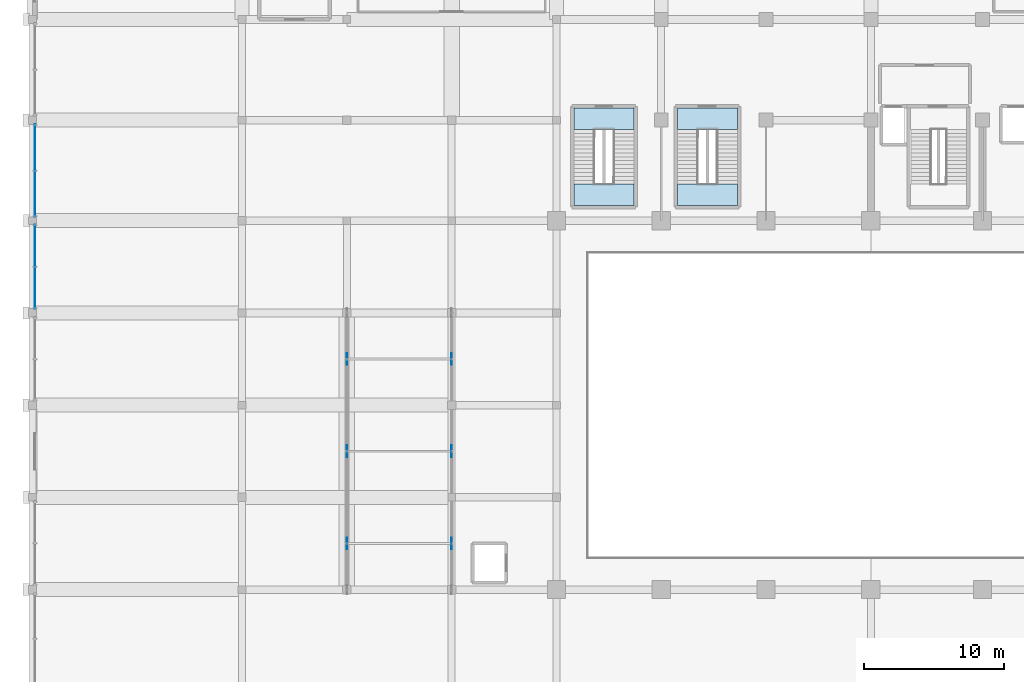
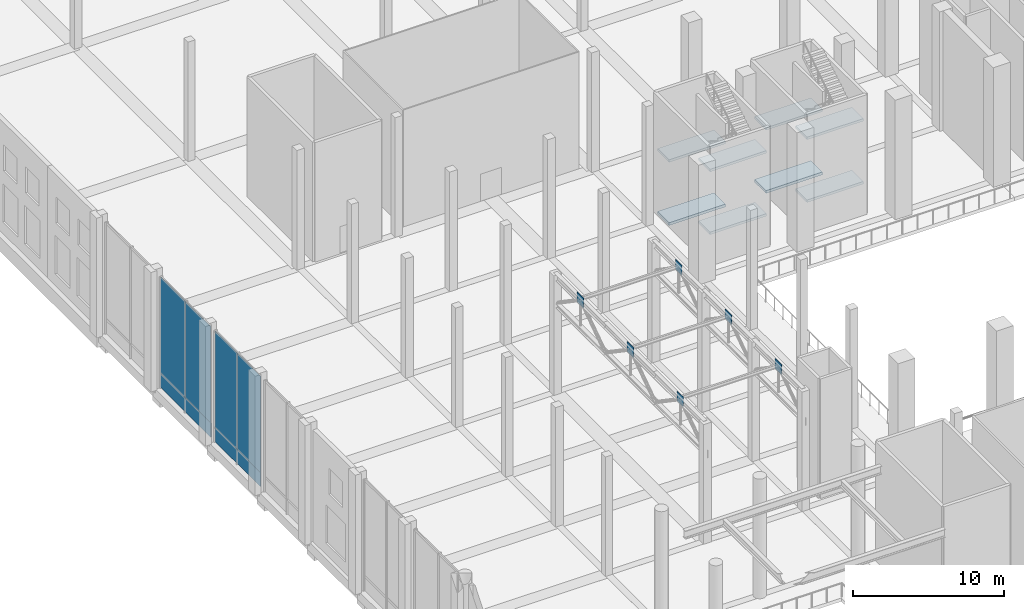
# One storey, part 53 of 80: 12 plates, 8 slabs, 4 elements without a shape of their own.
"""IFC4 building model written with IfcOpenShell, lengths in metres."""

from ifc_helpers import new_model, si_unit, direction, frame, origin, origin_2d, place, context, subcontext, project, spatial, polyline, rectangle, outline, extrude, material, layer, layer_set, type_object, element, aggregate, save


model = new_model("IFC4")

# Units and contexts
model_context = context("Model", 3, precision=1e-05, world=origin(), true_north=direction((0.0, 1.0)))
body_context = subcontext(model_context, "Body", "Model", "MODEL_VIEW")
ifc_project = project(units=[si_unit("LENGTHUNIT", "METRE"), si_unit("AREAUNIT", "SQUARE_METRE"), si_unit("VOLUMEUNIT", "CUBIC_METRE"), si_unit("PLANEANGLEUNIT", "RADIAN"), si_unit("MASSUNIT", "GRAM", prefix="KILO")], contexts=[model_context])

# Site, building, storey
site_placement = place(None, origin())
site = spatial("IfcSite", under=ifc_project, at=site_placement, CompositionType="ELEMENT")
building_placement = place(site_placement, origin())
building = spatial("IfcBuilding", under=site, at=building_placement, Name="Akrevak Sports Hall", CompositionType="ELEMENT")
storey_placement = place(building_placement, frame((0.0, 0.0, 14.0)))
storey = spatial("IfcBuildingStorey", under=building, at=storey_placement, Name="L03", CompositionType="ELEMENT", Elevation=14.0)

# Curtain wall, plates
ifc_material_1 = material(Name="Anodized Bronze Aluminium & Low-E Glass", Category="aluminium")
curtain_wall_type = type_object("IfcCurtainWallType", Name="ARC-CW-POD-64x94", PredefinedType="NOTDEFINED", material=ifc_material_1)
curtain_wall_1_placement = place(storey_placement, origin())
curtain_wall_1 = element("IfcCurtainWall", 1, at=curtain_wall_1_placement, inside=storey, type_object=curtain_wall_type, Name="Curtain Wall CW-L03-W06", PredefinedType="NOTDEFINED")
ifc_material_2 = material(Name="Double Low-E Tempered Glass", Category="glass")
ifc_layer_1 = layer(ifc_material_2, 0.035888671875, Name="Double Low-E Tempered Glass")
ifc_layer_set_1 = layer_set([ifc_layer_1], Name="Double Low-E Tempered Glass")
plate_type_1 = type_object("IfcPlateType", Name="ARC-CWP-GLZ-36", PredefinedType="CURTAIN_PANEL", material=ifc_layer_set_1)
plate_1_placement = place(storey_placement, frame((0.169921875, 53.418701171875, 1.14990234375), z_axis=(0.0, 0.0, 1.0), x_axis=(0.0, -1.0, 0.0)))
plate_1 = element("IfcPlate", 2, at=plate_1_placement, type_object=plate_type_1, Name="Vision Glass Panel CW-L03-W06-G1", PredefinedType="CURTAIN_PANEL", context=body_context, shape_type="SweptSolid", body=[
    extrude(rectangle(XDim=3.012451171875, YDim=0.035888671875, at=origin_2d()), origin(), (0.0, 0.0, 1.0), 7.77001953125),
])
plate_2_placement = place(storey_placement, frame((0.169921875, 50.40625, 1.14990234375), z_axis=(0.0, 0.0, 1.0), x_axis=(0.0, -1.0, 0.0)))
plate_2 = element("IfcPlate", 3, at=plate_2_placement, type_object=plate_type_1, Name="Vision Glass Panel CW-L03-W06-G2", PredefinedType="CURTAIN_PANEL", context=body_context, shape_type="SweptSolid", body=[
    extrude(rectangle(XDim=3.012451171875, YDim=0.035888671875, at=origin_2d()), origin(), (0.0, 0.0, 1.0), 7.77001953125),
])

curtain_wall_2_placement = place(storey_placement, origin())
curtain_wall_2 = element("IfcCurtainWall", 4, at=curtain_wall_2_placement, inside=storey, type_object=curtain_wall_type, Name="Curtain Wall CW-L03-W07", PredefinedType="NOTDEFINED")
plate_3_placement = place(storey_placement, frame((0.169921875, 60.44384765625, 1.14990234375), z_axis=(0.0, 0.0, 1.0), x_axis=(0.0, -1.0, 0.0)))
plate_3 = element("IfcPlate", 5, at=plate_3_placement, type_object=plate_type_1, Name="Vision Glass Panel CW-L03-W07-G1", PredefinedType="CURTAIN_PANEL", context=body_context, shape_type="SweptSolid", body=[
    extrude(rectangle(XDim=3.3125, YDim=0.035888671875, at=origin_2d()), origin(), (0.0, 0.0, 1.0), 7.77001953125),
])
plate_4_placement = place(storey_placement, frame((0.169921875, 57.13134765625, 1.14990234375), z_axis=(0.0, 0.0, 1.0), x_axis=(0.0, -1.0, 0.0)))
plate_4 = element("IfcPlate", 6, at=plate_4_placement, type_object=plate_type_1, Name="Vision Glass Panel CW-L03-W07-G2", PredefinedType="CURTAIN_PANEL", context=body_context, shape_type="SweptSolid", body=[
    extrude(rectangle(XDim=3.3125, YDim=0.035888671875, at=origin_2d()), origin(), (0.0, 0.0, 1.0), 7.77001953125),
])

# Plate
ifc_material_3 = material(Name="Insulated Bronze Spandrel Panel", Category="aluminium")
ifc_layer_2 = layer(ifc_material_3, 0.0439453125, Name="Insulated Bronze Spandrel Panel")
ifc_layer_set_2 = layer_set([ifc_layer_2], Name="Insulated Bronze Spandrel Panel")
plate_type_2 = type_object("IfcPlateType", Name="ARC-CWP-SPD-44", PredefinedType="CURTAIN_PANEL", material=ifc_layer_set_2)
plate_5_placement = place(storey_placement, frame((0.169921875, 51.91259765625, 0.0), z_axis=(0.0, 0.0, 1.0), x_axis=(0.0, -1.0, 0.0)))
plate_5 = element("IfcPlate", 7, at=plate_5_placement, type_object=plate_type_2, Name="Insulated Spandrel Panel CW-L03-W06-S1", PredefinedType="CURTAIN_PANEL", context=body_context, shape_type="SweptSolid", body=[
    extrude(rectangle(XDim=6.02490234375, YDim=0.0439453125, at=origin_2d()), origin(), (0.0, 0.0, 1.0), 1.14990234375),
])

aggregate(curtain_wall_1, [plate_1, plate_2, plate_5])

plate_6_placement = place(storey_placement, frame((0.169921875, 58.78759765625, 0.0), z_axis=(0.0, 0.0, 1.0), x_axis=(0.0, -1.0, 0.0)))
plate_6 = element("IfcPlate", 8, at=plate_6_placement, type_object=plate_type_2, Name="Insulated Spandrel Panel CW-L03-W07-S1", PredefinedType="CURTAIN_PANEL", context=body_context, shape_type="SweptSolid", body=[
    extrude(rectangle(XDim=6.625, YDim=0.0439453125, at=origin_2d()), origin(), (0.0, 0.0, 1.0), 1.14990234375),
])

aggregate(curtain_wall_2, [plate_3, plate_4, plate_6])

# Plates
ifc_material_4 = material(Name="Steel S355", Category="steel")
ifc_layer_3 = layer(ifc_material_4, 0.028076171875, Name="Steel S355")
ifc_layer_set_3 = layer_set([ifc_layer_3], Name="Steel S355")
plate_type_3 = type_object("IfcPlateType", Name="STR-PLT-GUSSET-28", PredefinedType="SHEET", material=ifc_layer_set_3)
for number, where, z_axis, x_axis, name in (
    (9, (22.5, 32.10009765625, 9.0400390625), (0.0, 0.0, 1.0), (1.0, 0.0, 0.0), "Roof Truss Concentric Gusset Plate TRS-1-1"),
    (10, (22.5, 38.699951171875, 9.0400390625), (0.0, 0.0, 1.0), (1.0, 0.0, 0.0), "Roof Truss Concentric Gusset Plate TRS-1-2"),
    (11, (22.5, 45.300048828125, 9.0400390625), (0.0, 0.0, 1.0), (1.0, 0.0, 0.0), "Roof Truss Concentric Gusset Plate TRS-1-3"),
    (12, (30.0, 32.10009765625, 9.0400390625), (0.0, 0.0, 1.0), (1.0, 0.0, 0.0), "Roof Truss Concentric Gusset Plate TRS-2-1"),
    (13, (30.0, 38.699951171875, 9.0400390625), (0.0, 0.0, 1.0), (1.0, 0.0, 0.0), "Roof Truss Concentric Gusset Plate TRS-2-2"),
    (14, (30.0, 45.300048828125, 9.0400390625), (0.0, 0.0, 1.0), (1.0, 0.0, 0.0), "Roof Truss Concentric Gusset Plate TRS-2-3"),
):
    element("IfcPlate", number, at=place(storey_placement, frame(where, z_axis=z_axis, x_axis=x_axis)), inside=storey, type_object=plate_type_3, Name=name, PredefinedType="SHEET", context=body_context, shape_type="SweptSolid", body=[
        extrude(rectangle(XDim=0.028076171875, YDim=0.85009765625, at=origin_2d()), origin(), (0.0, 0.0, 1.0), 0.800048828125),
    ])

# Stair, slabs
ifc_material_5 = material(Name="Concrete C40/50", Category="concrete")
stair_type = type_object("IfcStairType", Name="ARC-STR-MDOG-1015", PredefinedType="HALF_TURN_STAIR", material=ifc_material_5)
stair_1_placement = place(storey_placement, origin())
stair_1 = element("IfcStair", 15, at=stair_1_placement, inside=storey, type_object=stair_type, Name="Protected Exit Stair ST4 (L03 to L04)", PredefinedType="HALF_TURN_STAIR")
ifc_layer_4 = layer(ifc_material_5, 0.199951171875, Name="Concrete C40/50")
ifc_layer_set_4 = layer_set([ifc_layer_4], Name="Concrete C40/50")
slab_type_1 = type_object("IfcSlabType", Name="STR-SLB-LAND-200", PredefinedType="LANDING", material=ifc_layer_set_4)
slab_1_placement = place(storey_placement, frame((0.0, 0.0, 2.33740234375)))
slab_1 = element("IfcSlab", 16, at=slab_1_placement, type_object=slab_type_1, Name="Stair ST4 Half-Landing 1 (L03)", PredefinedType="LANDING", context=body_context, shape_type="SweptSolid", body=[
    extrude(outline(polyline([(46.14990234375, 56.300048828125), (50.449951171875, 56.300048828125), (50.449951171875, 57.81494140625), (46.14990234375, 57.81494140625), (46.14990234375, 56.300048828125)])), origin(), (0.0, 0.0, 1.0), 0.2001953125),
])
slab_2_placement = place(storey_placement, frame((0.0, 0.0, 4.875)))
slab_2 = element("IfcSlab", 17, at=slab_2_placement, type_object=slab_type_1, Name="Stair ST4 Half-Landing 2 (L03)", PredefinedType="LANDING", context=body_context, shape_type="SweptSolid", body=[
    extrude(outline(polyline([(46.14990234375, 61.735107421875), (50.449951171875, 61.735107421875), (50.449951171875, 63.25), (46.14990234375, 63.25), (46.14990234375, 61.735107421875)])), origin(), (0.0, 0.0, 1.0), 0.199951171875),
])
slab_3_placement = place(storey_placement, frame((0.0, 0.0, 7.41259765625)))
slab_3 = element("IfcSlab", 18, at=slab_3_placement, type_object=slab_type_1, Name="Stair ST4 Half-Landing 3 (L03)", PredefinedType="LANDING", context=body_context, shape_type="SweptSolid", body=[
    extrude(outline(polyline([(46.14990234375, 56.300048828125), (50.449951171875, 56.300048828125), (50.449951171875, 57.81494140625), (46.14990234375, 57.81494140625), (46.14990234375, 56.300048828125)])), origin(), (0.0, 0.0, 1.0), 0.199951171875),
])
aggregate(stair_1, [slab_1, slab_2, slab_3])

stair_2_placement = place(storey_placement, origin())
stair_2 = element("IfcStair", 19, at=stair_2_placement, inside=storey, type_object=stair_type, Name="Transfer West Exit Stair ST9 (L03 to L04)", PredefinedType="HALF_TURN_STAIR")
slab_4_placement = place(storey_placement, frame((0.0, 0.0, 2.33740234375)))
slab_4 = element("IfcSlab", 20, at=slab_4_placement, type_object=slab_type_1, Name="Stair ST9 Half-Landing 1 (L03)", PredefinedType="LANDING", context=body_context, shape_type="SweptSolid", body=[
    extrude(outline(polyline([(38.75, 56.300048828125), (43.050048828125, 56.300048828125), (43.050048828125, 57.81494140625), (38.75, 57.81494140625), (38.75, 56.300048828125)])), origin(), (0.0, 0.0, 1.0), 0.2001953125),
])
slab_5_placement = place(storey_placement, frame((0.0, 0.0, 4.875)))
slab_5 = element("IfcSlab", 21, at=slab_5_placement, type_object=slab_type_1, Name="Stair ST9 Half-Landing 2 (L03)", PredefinedType="LANDING", context=body_context, shape_type="SweptSolid", body=[
    extrude(outline(polyline([(38.75, 61.735107421875), (43.050048828125, 61.735107421875), (43.050048828125, 63.25), (38.75, 63.25), (38.75, 61.735107421875)])), origin(), (0.0, 0.0, 1.0), 0.199951171875),
])
slab_6_placement = place(storey_placement, frame((0.0, 0.0, 7.41259765625)))
slab_6 = element("IfcSlab", 22, at=slab_6_placement, type_object=slab_type_1, Name="Stair ST9 Half-Landing 3 (L03)", PredefinedType="LANDING", context=body_context, shape_type="SweptSolid", body=[
    extrude(outline(polyline([(38.75, 56.300048828125), (43.050048828125, 56.300048828125), (43.050048828125, 57.81494140625), (38.75, 57.81494140625), (38.75, 56.300048828125)])), origin(), (0.0, 0.0, 1.0), 0.199951171875),
])
aggregate(stair_2, [slab_4, slab_5, slab_6])

# Slabs
ifc_layer_5 = layer(ifc_material_5, 0.219970703125, Name="Concrete C40/50")
ifc_layer_set_5 = layer_set([ifc_layer_5], Name="Concrete C40/50")
slab_type_2 = type_object("IfcSlabType", Name="STR-SLB-LAND-220", PredefinedType="LANDING", material=ifc_layer_set_5)
slab_7_placement = place(storey_placement, frame((0.0, 0.0, -0.219970703125)))
element("IfcSlab", 23, at=slab_7_placement, inside=storey, type_object=slab_type_2, Name="Stair ST4 Floor Landing (L03)", PredefinedType="LANDING", context=body_context, shape_type="SweptSolid", body=[
    extrude(outline(polyline([(46.14990234375, 61.735107421875), (50.449951171875, 61.735107421875), (50.449951171875, 63.25), (46.14990234375, 63.25), (46.14990234375, 61.735107421875)])), origin(), (0.0, 0.0, 1.0), 0.219970703125),
])
slab_8_placement = place(storey_placement, frame((0.0, 0.0, -0.219970703125)))
element("IfcSlab", 24, at=slab_8_placement, inside=storey, type_object=slab_type_2, Name="Stair ST9 Floor Landing (L03)", PredefinedType="LANDING", context=body_context, shape_type="SweptSolid", body=[
    extrude(outline(polyline([(38.75, 61.735107421875), (43.050048828125, 61.735107421875), (43.050048828125, 63.25), (38.75, 63.25), (38.75, 61.735107421875)])), origin(), (0.0, 0.0, 1.0), 0.219970703125),
])

save(model, "model.ifc")
